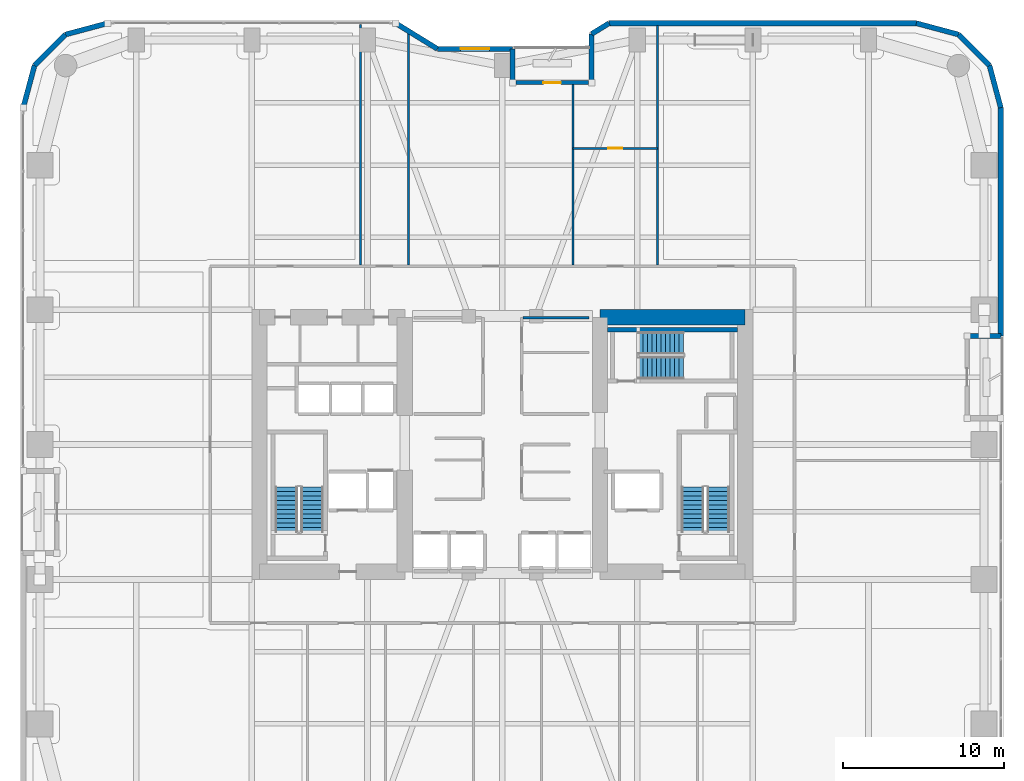
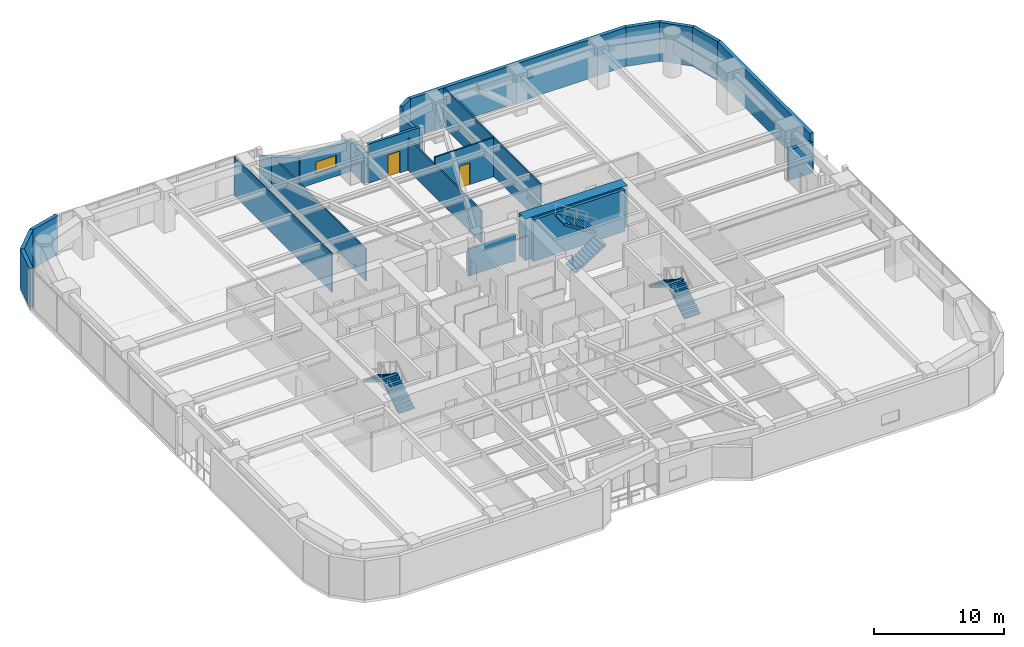
# One storey, part 25 of 29: 23 walls, 6 stair flights, 2 doors, 1 window, 3 openings, 3 elements without a shape of their own.
"""IFC4 building model written with IfcOpenShell, lengths in metres."""

from ifc_helpers import new_model, si_unit, direction, frame, frame_2d, origin, place, context, subcontext, project, spatial, polyline, rectangle, outline, extrude, material, layer, layer_set, type_object, element, fill, aggregate, save


model = new_model("IFC4")

# Units and contexts
model_context = context("Model", 3, precision=1e-05, world=origin(), true_north=direction((0.0, 1.0)))
body_context = subcontext(model_context, "Body", "Model", "MODEL_VIEW")
ifc_project = project(units=[si_unit("LENGTHUNIT", "METRE"), si_unit("AREAUNIT", "SQUARE_METRE"), si_unit("VOLUMEUNIT", "CUBIC_METRE"), si_unit("PLANEANGLEUNIT", "RADIAN"), si_unit("MASSUNIT", "GRAM", prefix="KILO")], contexts=[model_context])

# Site, building, storey
site_placement = place(None, origin())
site = spatial("IfcSite", under=ifc_project, at=site_placement, CompositionType="ELEMENT")
building_placement = place(site_placement, origin())
building = spatial("IfcBuilding", under=site, at=building_placement, Name="Kiyonajd Concourse Tower", CompositionType="ELEMENT")
storey_placement = place(building_placement, frame((0.0, 0.0, 48.89990234375)))
storey = spatial("IfcBuildingStorey", under=building, at=storey_placement, Name="L13", CompositionType="ELEMENT", Elevation=48.89990234375)

# Walls
ifc_material_1 = material(Name="Concrete C80/95", Category="concrete")
ifc_layer_1 = layer(ifc_material_1, 0.949951171875)
ifc_layer_set_1 = layer_set([ifc_layer_1], Name="Concrete C80/95")
wall_type_1 = type_object("IfcWallType", Name="WL-CORE-950", PredefinedType="SHEAR", material=ifc_layer_set_1)
wall_1_placement = place(storey_placement, frame((54.074951171875, 43.925048828125, 0.0), z_axis=(0.0, 0.0, 1.0), x_axis=(1.0, 0.0, 0.0)))
element("IfcWall", 1, at=wall_1_placement, inside=storey, type_object=wall_type_1, Name="L13 East Core North Shear Wall", PredefinedType="SHEAR", context=body_context, shape_type="SweptSolid", body=[
    extrude(rectangle(XDim=9.050048828125, YDim=0.949951171875, at=frame_2d((4.52490234375, 0.0))), origin(), (0.0, 0.0, 1.0), 3.900146484375),
])
ifc_material_2 = material(Name="Precast concrete C50/60", Category="concrete")
ifc_layer_2 = layer(ifc_material_2, 0.320068359375)
ifc_layer_set_2 = layer_set([ifc_layer_2], Name="Precast concrete C50/60")
wall_type_2 = type_object("IfcWallType", Name="WL-EXT-320", PredefinedType="SOLIDWALL", material=ifc_layer_set_2)
wall_2_placement = place(storey_placement, frame((18.159912109375, 56.97900390625, 0.0), z_axis=(0.0, 0.0, 1.0), x_axis=(0.25869736047, 0.965958423373, 0.0)))
element("IfcWall", 2, at=wall_2_placement, inside=storey, type_object=wall_type_2, Name="L13 Exterior Concrete Frame Wall 06", PredefinedType="SOLIDWALL", context=body_context, shape_type="SweptSolid", body=[
    extrude(rectangle(XDim=2.731201171875, YDim=0.320068359375, at=frame_2d((1.36572265625, 0.0))), origin(), (0.0, 0.0, 1.0), 3.64013671875),
])
wall_3_placement = place(storey_placement, frame((18.866455078125, 59.6171875, 0.0), z_axis=(0.0, 0.0, 1.0), x_axis=(0.707106781187, 0.707106781187, 0.0)))
element("IfcWall", 3, at=wall_3_placement, inside=storey, type_object=wall_type_2, Name="L13 Exterior Concrete Frame Wall 07", PredefinedType="SOLIDWALL", context=body_context, shape_type="SweptSolid", body=[
    extrude(rectangle(XDim=2.7099609375, YDim=0.320068359375, at=frame_2d((1.35498046875, 0.0))), origin(), (0.0, 0.0, 1.0), 3.64013671875),
])
wall_4_placement = place(storey_placement, frame((20.78271484375, 61.533447265625, 0.0), z_axis=(0.0, 0.0, 1.0), x_axis=(0.965964405026, 0.25867502435, 0.0)))
element("IfcWall", 4, at=wall_4_placement, inside=storey, type_object=wall_type_2, Name="L13 Exterior Concrete Frame Wall 08", PredefinedType="SOLIDWALL", context=body_context, shape_type="SweptSolid", body=[
    extrude(rectangle(XDim=2.7314453125, YDim=0.320068359375, at=frame_2d((1.36572265625, 0.0))), origin(), (0.0, 0.0, 1.0), 3.64013671875),
])
wall_5_placement = place(storey_placement, frame((41.354736328125, 62.239990234375, 0.0), z_axis=(0.0, 0.0, 1.0), x_axis=(0.851630857047, -0.524142044989, 0.0)))
element("IfcWall", 5, at=wall_5_placement, inside=storey, type_object=wall_type_2, Name="L13 Exterior Concrete Frame Wall 10", PredefinedType="SOLIDWALL", context=body_context, shape_type="SweptSolid", body=[
    extrude(rectangle(XDim=3.052734375, YDim=0.320068359375, at=frame_2d((1.5263671875, 0.0))), origin(), (0.0, 0.0, 1.0), 2.875),
])

# Wall, opening, window
wall_6_placement = place(storey_placement, frame((43.95458984375, 60.639892578125, 0.0), z_axis=(0.0, 0.0, 1.0), x_axis=(1.0, 0.0, 0.0)))
wall_6 = element("IfcWall", 6, at=wall_6_placement, inside=storey, type_object=wall_type_2, Name="L13 Exterior Concrete Frame Wall 11", PredefinedType="SOLIDWALL", context=body_context, shape_type="SweptSolid", body=[
    extrude(rectangle(XDim=4.685302734375, YDim=0.320068359375, at=frame_2d((2.3427734375, 0.0))), origin(), (0.0, 0.0, 1.0), 2.875),
])
opening_1_placement = place(wall_6_placement, frame((1.443115234375, 0.0, 0.85009765625)))
opening_1 = element("IfcOpeningElement", 7, at=opening_1_placement, cuts=wall_6, Name="Opening WN1", PredefinedType="OPENING", context=body_context, shape_type="SweptSolid", body=[
    extrude(rectangle(XDim=1.800048828125, YDim=1.10009765625, at=frame_2d((0.89990234375, 0.550048828125))), frame((0.0, 0.169921875, 0.0), z_axis=(0.0, -1.0, 0.0), x_axis=(1.0, 0.0, 0.0)), (0.0, 0.0, 1.0), 0.340087890625),
])
ifc_material_3 = material(Name="Double Low-E Insulated Glass", Category="glass")
window_type = type_object("IfcWindowType", Name="WN-VIS-1800x1100", PartitioningType="SINGLE_PANEL", PredefinedType="WINDOW", material=ifc_material_3)
window_placement = place(opening_1_placement, origin())
window = element("IfcWindow", 8, at=window_placement, inside=storey, type_object=window_type, Name="L13 Modular Facade Vision Window 11", OverallHeight=1.10009765625, OverallWidth=1.800048828125, PartitioningType="SINGLE_PANEL", PredefinedType="WINDOW", context=body_context, shape_type="SweptSolid", body=[
    extrude(rectangle(XDim=1.800048828125, YDim=1.10009765625, at=frame_2d((0.89990234375, 0.550048828125))), frame((0.0, 0.030029296875, 0.0), z_axis=(0.0, -1.0, 0.0), x_axis=(1.0, 0.0, 0.0)), (0.0, 0.0, 1.0), 0.06005859375),
])
fill(opening_1, window)

# Walls
wall_7_placement = place(storey_placement, frame((48.639892578125, 60.639892578125, 0.0), z_axis=(0.0, 0.0, 1.0), x_axis=(0.0, -1.0, 0.0)))
element("IfcWall", 9, at=wall_7_placement, inside=storey, type_object=wall_type_2, Name="L13 Exterior Concrete Frame Wall 12", PredefinedType="SOLIDWALL", context=body_context, shape_type="SweptSolid", body=[
    extrude(rectangle(XDim=2.099853515625, YDim=0.320068359375, at=frame_2d((1.0498046875, 0.0))), origin(), (0.0, 0.0, 1.0), 2.875),
])
wall_8_placement = place(storey_placement, frame((53.56005859375, 58.5400390625, 0.0), z_axis=(0.0, 0.0, 1.0), x_axis=(0.0, 1.0, 0.0)))
element("IfcWall", 10, at=wall_8_placement, inside=storey, type_object=wall_type_2, Name="L13 Exterior Concrete Frame Wall 14", PredefinedType="SOLIDWALL", context=body_context, shape_type="SweptSolid", body=[
    extrude(rectangle(XDim=3.032470703125, YDim=0.320068359375, at=frame_2d((1.51611328125, 0.0))), origin(), (0.0, 0.0, 1.0), 2.875),
])
wall_9_placement = place(storey_placement, frame((53.56005859375, 61.572509765625, 0.0), z_axis=(0.0, 0.0, 1.0), x_axis=(0.851776724646, 0.523904964045, 0.0)))
element("IfcWall", 11, at=wall_9_placement, inside=storey, type_object=wall_type_2, Name="L13 Exterior Concrete Frame Wall 15", PredefinedType="SOLIDWALL", context=body_context, shape_type="SweptSolid", body=[
    extrude(rectangle(XDim=1.274169921875, YDim=0.320068359375, at=frame_2d((0.63720703125, 0.0))), origin(), (0.0, 0.0, 1.0), 3.64013671875),
])
wall_10_placement = place(storey_placement, frame((54.645263671875, 62.239990234375, 0.0), z_axis=(0.0, 0.0, 1.0), x_axis=(1.0, 0.0, 0.0)))
element("IfcWall", 12, at=wall_10_placement, inside=storey, type_object=wall_type_2, Name="L13 Exterior Concrete Frame Wall 16", PredefinedType="SOLIDWALL", context=body_context, shape_type="SweptSolid", body=[
    extrude(rectangle(XDim=19.133544921875, YDim=0.320068359375, at=frame_2d((9.56689453125, 0.0))), origin(), (0.0, 0.0, 1.0), 3.64013671875),
])
wall_11_placement = place(storey_placement, frame((73.77880859375, 62.239990234375, 0.0), z_axis=(0.0, 0.0, 1.0), x_axis=(0.965964405026, -0.25867502435, 0.0)))
element("IfcWall", 13, at=wall_11_placement, inside=storey, type_object=wall_type_2, Name="L13 Exterior Concrete Frame Wall 17", PredefinedType="SOLIDWALL", context=body_context, shape_type="SweptSolid", body=[
    extrude(rectangle(XDim=2.7314453125, YDim=0.320068359375, at=frame_2d((1.36572265625, 0.0))), origin(), (0.0, 0.0, 1.0), 3.64013671875),
])
wall_12_placement = place(storey_placement, frame((76.417236328125, 61.533447265625, 0.0), z_axis=(0.0, 0.0, 1.0), x_axis=(0.707106781187, -0.707106781187, 0.0)))
element("IfcWall", 14, at=wall_12_placement, inside=storey, type_object=wall_type_2, Name="L13 Exterior Concrete Frame Wall 18", PredefinedType="SOLIDWALL", context=body_context, shape_type="SweptSolid", body=[
    extrude(rectangle(XDim=2.7099609375, YDim=0.320068359375, at=frame_2d((1.35498046875, 0.0))), origin(), (0.0, 0.0, 1.0), 3.64013671875),
])
wall_13_placement = place(storey_placement, frame((78.33349609375, 59.6171875, 0.0), z_axis=(0.0, 0.0, 1.0), x_axis=(0.25869736047, -0.965958423373, 0.0)))
element("IfcWall", 15, at=wall_13_placement, inside=storey, type_object=wall_type_2, Name="L13 Exterior Concrete Frame Wall 19", PredefinedType="SOLIDWALL", context=body_context, shape_type="SweptSolid", body=[
    extrude(rectangle(XDim=2.731201171875, YDim=0.320068359375, at=frame_2d((1.36572265625, 0.0))), origin(), (0.0, 0.0, 1.0), 3.64013671875),
])
wall_14_placement = place(storey_placement, frame((79.0400390625, 56.97900390625, 0.0), z_axis=(0.0, 0.0, 1.0), x_axis=(0.0, -1.0, 0.0)))
element("IfcWall", 16, at=wall_14_placement, inside=storey, type_object=wall_type_2, Name="L13 Exterior Concrete Frame Wall 20", PredefinedType="SOLIDWALL", context=body_context, shape_type="SweptSolid", body=[
    extrude(rectangle(XDim=14.218994140625, YDim=0.320068359375, at=frame_2d((7.109375, 0.0))), origin(), (0.0, 0.0, 1.0), 3.64013671875),
])
wall_15_placement = place(storey_placement, frame((79.0400390625, 42.760009765625, 0.0), z_axis=(0.0, 0.0, 1.0), x_axis=(-1.0, 0.0, 0.0)))
element("IfcWall", 17, at=wall_15_placement, inside=storey, type_object=wall_type_2, Name="L13 Exterior Concrete Frame Wall 21", PredefinedType="SOLIDWALL", context=body_context, shape_type="SweptSolid", body=[
    extrude(rectangle(XDim=2.10009765625, YDim=0.320068359375, at=frame_2d((1.050048828125, 0.0))), origin(), (0.0, 0.0, 1.0), 2.875),
])

# Wall, opening, door
ifc_layer_3 = layer(ifc_material_2, 0.239990234375)
ifc_layer_set_3 = layer_set([ifc_layer_3], Name="Precast concrete C50/60")
wall_type_3 = type_object("IfcWallType", Name="WL-LOG-240", PredefinedType="SOLIDWALL", material=ifc_layer_set_3)
wall_16_placement = place(storey_placement, frame((48.8349609375, 58.5400390625, 0.0), z_axis=(0.0, 0.0, 1.0), x_axis=(1.0, 0.0, 0.0)))
wall_16 = element("IfcWall", 18, at=wall_16_placement, inside=storey, type_object=wall_type_3, Name="L13 Recessed Loggia Thermal Wall LOG-N", PredefinedType="SOLIDWALL", context=body_context, shape_type="SweptSolid", body=[
    extrude(rectangle(XDim=4.530029296875, YDim=0.239990234375, at=frame_2d((2.26513671875, 0.0))), origin(), (0.0, 0.0, 1.0), 3.64013671875),
])
opening_2_placement = place(wall_16_placement, frame((1.715087890625, 0.0, 0.0)))
opening_2 = element("IfcOpeningElement", 19, at=opening_2_placement, cuts=wall_16, Name="Opening DL2", PredefinedType="OPENING", context=body_context, shape_type="SweptSolid", body=[
    extrude(rectangle(XDim=1.10009765625, YDim=2.0400390625, at=frame_2d((0.550048828125, 1.02001953125))), frame((0.0, 0.1298828125, 0.0), z_axis=(0.0, -1.0, 0.0), x_axis=(1.0, 0.0, 0.0)), (0.0, 0.0, 1.0), 0.260009765625),
])
ifc_material_4 = material(Name="Thermally Broken Anodised Aluminium", Category="aluminium")
door_type_1 = type_object("IfcDoorType", Name="DR-LOG-1100", OperationType="NOTDEFINED", PredefinedType="DOOR", material=ifc_material_4)
door_1_placement = place(opening_2_placement, origin())
door_1 = element("IfcDoor", 20, at=door_1_placement, inside=storey, type_object=door_type_1, Name="L13 Engawa Loggia Access Door LOG-N", OperationType="SINGLE_SWING_RIGHT", OverallHeight=2.0400390625, OverallWidth=1.10009765625, PredefinedType="DOOR", context=body_context, shape_type="SweptSolid", body=[
    extrude(rectangle(XDim=1.10009765625, YDim=2.0400390625, at=frame_2d((0.550048828125, 1.02001953125))), frame((0.0, 0.02490234375, 0.0), z_axis=(0.0, -1.0, 0.0), x_axis=(1.0, 0.0, 0.0)), (0.0, 0.0, 1.0), 0.050048828125),
])
fill(opening_2, door_1)

# Walls
ifc_material_5 = material(Name="Gypsum Board on Cold-Formed Steel Stud", Category="steel")
ifc_layer_4 = layer(ifc_material_5, 0.125)
ifc_layer_set_4 = layer_set([ifc_layer_4], Name="Gypsum Board on Cold-Formed Steel Stud")
wall_type_4 = type_object("IfcWallType", Name="WL-PART-125", PredefinedType="PARTITIONING", material=ifc_layer_set_4)
wall_17_placement = place(storey_placement, frame((39.159912109375, 47.197021484375, 0.0), z_axis=(0.0, 0.0, 1.0), x_axis=(0.0, 1.0, 0.0)))
element("IfcWall", 21, at=wall_17_placement, inside=storey, type_object=wall_type_4, Name="L13 Interior Partition Wall", PredefinedType="PARTITIONING", context=body_context, shape_type="SweptSolid", body=[
    extrude(rectangle(XDim=14.9580078125, YDim=0.125, at=frame_2d((7.47900390625, 0.0))), origin(), (0.0, 0.0, 1.0), 3.64013671875),
])
wall_18_placement = place(storey_placement, frame((42.159912109375, 47.197021484375, 0.0), z_axis=(0.0, 0.0, 1.0), x_axis=(0.0, 1.0, 0.0)))
element("IfcWall", 22, at=wall_18_placement, inside=storey, type_object=wall_type_4, Name="L13 Interior Partition Wall", PredefinedType="PARTITIONING", context=body_context, shape_type="SweptSolid", body=[
    extrude(rectangle(XDim=14.39306640625, YDim=0.125, at=frame_2d((7.196533203125, 0.0))), origin(), (0.0, 0.0, 1.0), 3.003173828125),
])

# Wall, opening, door
wall_19_placement = place(storey_placement, frame((52.39990234375, 54.449951171875, 0.0), z_axis=(0.0, 0.0, 1.0), x_axis=(1.0, 0.0, 0.0)))
wall_19 = element("IfcWall", 23, at=wall_19_placement, inside=storey, type_object=wall_type_4, Name="L13 Interior Partition Wall", PredefinedType="PARTITIONING", context=body_context, shape_type="SweptSolid", body=[
    extrude(rectangle(XDim=5.260009765625, YDim=0.125, at=frame_2d((2.6298828125, 0.0))), origin(), (0.0, 0.0, 1.0), 3.64013671875),
])
opening_3_placement = place(wall_19_placement, frame((2.179931640625, 0.0, 0.0)))
opening_3 = element("IfcOpeningElement", 24, at=opening_3_placement, cuts=wall_19, Name="Opening DI2", PredefinedType="OPENING", context=body_context, shape_type="SweptSolid", body=[
    extrude(rectangle(XDim=0.89990234375, YDim=2.02001953125, at=frame_2d((0.449951171875, 1.010009765625))), frame((0.0, 0.072509765625, 0.0), z_axis=(0.0, -1.0, 0.0), x_axis=(1.0, 0.0, 0.0)), (0.0, 0.0, 1.0), 0.14501953125),
])
ifc_material_6 = material(Name="Natural Oak Acoustic Timber Veneer", Category="wood")
door_type_2 = type_object("IfcDoorType", Name="DR-INT-900", OperationType="NOTDEFINED", PredefinedType="DOOR", material=ifc_material_6)
door_2_placement = place(opening_3_placement, origin())
door_2 = element("IfcDoor", 25, at=door_2_placement, inside=storey, type_object=door_type_2, Name="L13 Interior Door", OperationType="SINGLE_SWING_RIGHT", OverallHeight=2.02001953125, OverallWidth=0.89990234375, PredefinedType="DOOR", context=body_context, shape_type="SweptSolid", body=[
    extrude(rectangle(XDim=0.89990234375, YDim=2.02001953125, at=frame_2d((0.449951171875, 1.010009765625))), frame((0.0, 0.02490234375, 0.0), z_axis=(0.0, -1.0, 0.0), x_axis=(1.0, 0.0, 0.0)), (0.0, 0.0, 1.0), 0.050048828125),
])
fill(opening_3, door_2)

# Walls
wall_20_placement = place(storey_placement, frame((52.39990234375, 47.197021484375, 0.0), z_axis=(0.0, 0.0, 1.0), x_axis=(0.0, 1.0, 0.0)))
element("IfcWall", 26, at=wall_20_placement, inside=storey, type_object=wall_type_4, Name="L13 Interior Partition Wall", PredefinedType="PARTITIONING", context=body_context, shape_type="SweptSolid", body=[
    extrude(rectangle(XDim=11.22802734375, YDim=0.125, at=frame_2d((5.614013671875, 0.0))), origin(), (0.0, 0.0, 1.0), 3.003173828125),
])
wall_21_placement = place(storey_placement, frame((57.659912109375, 47.197021484375, 0.0), z_axis=(0.0, 0.0, 1.0), x_axis=(0.0, 1.0, 0.0)))
element("IfcWall", 27, at=wall_21_placement, inside=storey, type_object=wall_type_4, Name="L13 Interior Partition Wall", PredefinedType="PARTITIONING", context=body_context, shape_type="SweptSolid", body=[
    extrude(rectangle(XDim=14.887939453125, YDim=0.125, at=frame_2d((7.44384765625, 0.0))), origin(), (0.0, 0.0, 1.0), 3.64013671875),
])
ifc_layer_5 = layer(ifc_material_5, 0.169921875)
ifc_layer_set_5 = layer_set([ifc_layer_5], Name="Gypsum Board on Cold-Formed Steel Stud")
wall_type_5 = type_object("IfcWallType", Name="WL-SMK-170", PredefinedType="PARTITIONING", material=ifc_layer_set_5)
wall_22_placement = place(storey_placement, frame((49.287109375, 43.89990234375, 0.0), z_axis=(0.0, 0.0, 1.0), x_axis=(1.0, 0.0, 0.0)))
element("IfcWall", 28, at=wall_22_placement, inside=storey, type_object=wall_type_5, Name="L13 Interior Partition Wall", PredefinedType="PARTITIONING", context=body_context, shape_type="SweptSolid", body=[
    extrude(rectangle(XDim=4.11279296875, YDim=0.169921875, at=frame_2d((2.056396484375, 0.0))), origin(), (0.0, 0.0, 1.0), 2.525146484375),
])
ifc_material_7 = material(Name="Concrete C50/60", Category="concrete")
ifc_layer_6 = layer(ifc_material_7, 0.260009765625)
ifc_layer_set_6 = layer_set([ifc_layer_6], Name="Concrete C50/60")
wall_type_6 = type_object("IfcWallType", Name="WL-STAIR-260", PredefinedType="SHEAR", material=ifc_layer_set_6)
wall_23_placement = place(storey_placement, frame((54.550048828125, 43.14990234375, 0.0), z_axis=(0.0, 0.0, 1.0), x_axis=(1.0, 0.0, 0.0)))
element("IfcWall", 29, at=wall_23_placement, inside=storey, type_object=wall_type_6, Name="L13 Stair ST3 Structural North Wall", PredefinedType="SHEAR", context=body_context, shape_type="SweptSolid", body=[
    extrude(rectangle(XDim=8.099853515625, YDim=0.260009765625, at=frame_2d((4.0498046875, 0.0))), origin(), (0.0, 0.0, 1.0), 3.900146484375),
])

# Stair, stair flights
ifc_material_8 = material(Name="Concrete C40/50", Category="concrete")
stair_type = type_object("IfcStairType", Name="ST-DLG-22R", PredefinedType="HALF_TURN_STAIR", material=ifc_material_8)
stair_1_placement = place(storey_placement, origin())
stair_1 = element("IfcStair", 30, at=stair_1_placement, inside=storey, type_object=stair_type, Name="L13 Protected Exit Stair ST1", PredefinedType="HALF_TURN_STAIR")
stair_flight_type = type_object("IfcStairFlightType", Name="SF-STR-22R", PredefinedType="STRAIGHT", material=ifc_material_8)
stair_flight_1_placement = place(storey_placement, frame((36.14990234375, 30.550048828125, 0.0), z_axis=(0.0, 0.0, 1.0), x_axis=(0.0, 1.0, 0.0)))
stair_flight_1 = element("IfcStairFlight", 31, at=stair_flight_1_placement, type_object=stair_flight_type, Name="ST1 flight 1", NumberOfRisers=11, NumberOfTreads=10, PredefinedType="STRAIGHT", RiserHeight=0.177272727, TreadLength=0.28, context=body_context, shape_type="SweptSolid", body=[
    extrude(outline(polyline([(0.0, 0.0), (0.0, 0.17724609375), (0.280029296875, 0.17724609375), (0.280029296875, 0.3544921875), (0.56005859375, 0.3544921875), (0.56005859375, 0.53173828125), (0.840087890625, 0.53173828125), (0.840087890625, 0.708984375), (1.1201171875, 0.708984375), (1.1201171875, 0.886474609375), (1.39990234375, 0.886474609375), (1.39990234375, 1.063720703125), (1.679931640625, 1.063720703125), (1.679931640625, 1.240966796875), (1.9599609375, 1.240966796875), (1.9599609375, 1.418212890625), (2.239990234375, 1.418212890625), (2.239990234375, 1.595458984375), (2.52001953125, 1.595458984375), (2.52001953125, 1.772705078125), (2.800048828125, 1.772705078125), (2.800048828125, 1.949951171875), (2.800048828125, 1.59521484375), (0.2802734375, 0.0), (0.0, 0.0)])), frame((0.0, 0.699951171875, 0.0), z_axis=(0.0, -1.0, 0.0), x_axis=(1.0, 0.0, 0.0)), (0.0, 0.0, 1.0), 1.39990234375),
])
stair_flight_2_placement = place(storey_placement, frame((34.550048828125, 33.35009765625, 1.9501953125), z_axis=(0.0, 0.0, 1.0), x_axis=(0.0, -1.0, 0.0)))
stair_flight_2 = element("IfcStairFlight", 32, at=stair_flight_2_placement, type_object=stair_flight_type, Name="ST1 flight 2", NumberOfRisers=11, NumberOfTreads=10, PredefinedType="STRAIGHT", RiserHeight=0.177272727, TreadLength=0.28, context=body_context, shape_type="SweptSolid", body=[
    extrude(outline(polyline([(0.0, 0.0), (0.0, 0.17724609375), (0.280029296875, 0.17724609375), (0.280029296875, 0.3544921875), (0.56005859375, 0.3544921875), (0.56005859375, 0.53173828125), (0.840087890625, 0.53173828125), (0.840087890625, 0.708984375), (1.1201171875, 0.708984375), (1.1201171875, 0.886474609375), (1.39990234375, 0.886474609375), (1.39990234375, 1.063720703125), (1.679931640625, 1.063720703125), (1.679931640625, 1.240966796875), (1.9599609375, 1.240966796875), (1.9599609375, 1.418212890625), (2.239990234375, 1.418212890625), (2.239990234375, 1.595458984375), (2.52001953125, 1.595458984375), (2.52001953125, 1.772705078125), (2.800048828125, 1.772705078125), (2.800048828125, 1.949951171875), (2.800048828125, 1.59521484375), (0.2802734375, 0.0), (0.0, 0.0)])), frame((0.0, 0.699951171875, 0.0), z_axis=(0.0, -1.0, 0.0), x_axis=(1.0, 0.0, 0.0)), (0.0, 0.0, 1.0), 1.39990234375),
])
aggregate(stair_1, [stair_flight_1, stair_flight_2])

stair_2_placement = place(storey_placement, origin())
stair_2 = element("IfcStair", 33, at=stair_2_placement, inside=storey, type_object=stair_type, Name="L13 Protected Exit Stair ST2", PredefinedType="HALF_TURN_STAIR")
stair_flight_3_placement = place(storey_placement, frame((61.449951171875, 30.550048828125, 0.0), z_axis=(0.0, 0.0, 1.0), x_axis=(0.0, 1.0, 0.0)))
stair_flight_3 = element("IfcStairFlight", 34, at=stair_flight_3_placement, type_object=stair_flight_type, Name="ST2 flight 1", NumberOfRisers=11, NumberOfTreads=10, PredefinedType="STRAIGHT", RiserHeight=0.177272727, TreadLength=0.28, context=body_context, shape_type="SweptSolid", body=[
    extrude(outline(polyline([(0.0, 0.0), (0.0, 0.17724609375), (0.280029296875, 0.17724609375), (0.280029296875, 0.3544921875), (0.56005859375, 0.3544921875), (0.56005859375, 0.53173828125), (0.840087890625, 0.53173828125), (0.840087890625, 0.708984375), (1.1201171875, 0.708984375), (1.1201171875, 0.886474609375), (1.39990234375, 0.886474609375), (1.39990234375, 1.063720703125), (1.679931640625, 1.063720703125), (1.679931640625, 1.240966796875), (1.9599609375, 1.240966796875), (1.9599609375, 1.418212890625), (2.239990234375, 1.418212890625), (2.239990234375, 1.595458984375), (2.52001953125, 1.595458984375), (2.52001953125, 1.772705078125), (2.800048828125, 1.772705078125), (2.800048828125, 1.949951171875), (2.800048828125, 1.59521484375), (0.2802734375, 0.0), (0.0, 0.0)])), frame((0.0, 0.699951171875, 0.0), z_axis=(0.0, -1.0, 0.0), x_axis=(1.0, 0.0, 0.0)), (0.0, 0.0, 1.0), 1.39990234375),
])
stair_flight_4_placement = place(storey_placement, frame((59.85009765625, 33.35009765625, 1.9501953125), z_axis=(0.0, 0.0, 1.0), x_axis=(0.0, -1.0, 0.0)))
stair_flight_4 = element("IfcStairFlight", 35, at=stair_flight_4_placement, type_object=stair_flight_type, Name="ST2 flight 2", NumberOfRisers=11, NumberOfTreads=10, PredefinedType="STRAIGHT", RiserHeight=0.177272727, TreadLength=0.28, context=body_context, shape_type="SweptSolid", body=[
    extrude(outline(polyline([(0.0, 0.0), (0.0, 0.17724609375), (0.280029296875, 0.17724609375), (0.280029296875, 0.3544921875), (0.56005859375, 0.3544921875), (0.56005859375, 0.53173828125), (0.840087890625, 0.53173828125), (0.840087890625, 0.708984375), (1.1201171875, 0.708984375), (1.1201171875, 0.886474609375), (1.39990234375, 0.886474609375), (1.39990234375, 1.063720703125), (1.679931640625, 1.063720703125), (1.679931640625, 1.240966796875), (1.9599609375, 1.240966796875), (1.9599609375, 1.418212890625), (2.239990234375, 1.418212890625), (2.239990234375, 1.595458984375), (2.52001953125, 1.595458984375), (2.52001953125, 1.772705078125), (2.800048828125, 1.772705078125), (2.800048828125, 1.949951171875), (2.800048828125, 1.59521484375), (0.2802734375, 0.0), (0.0, 0.0)])), frame((0.0, 0.699951171875, 0.0), z_axis=(0.0, -1.0, 0.0), x_axis=(1.0, 0.0, 0.0)), (0.0, 0.0, 1.0), 1.39990234375),
])
aggregate(stair_2, [stair_flight_3, stair_flight_4])

stair_3_placement = place(storey_placement, origin())
stair_3 = element("IfcStair", 36, at=stair_3_placement, inside=storey, type_object=stair_type, Name="L13 Protected Exit Stair ST3", PredefinedType="HALF_TURN_STAIR")
stair_flight_5_placement = place(storey_placement, frame((56.47998046875, 40.780029296875, 0.0), z_axis=(0.0, 0.0, 1.0), x_axis=(1.0, 0.0, 0.0)))
stair_flight_5 = element("IfcStairFlight", 37, at=stair_flight_5_placement, type_object=stair_flight_type, Name="ST3 flight 1", NumberOfRisers=11, NumberOfTreads=10, PredefinedType="STRAIGHT", RiserHeight=0.177272727, TreadLength=0.28, context=body_context, shape_type="SweptSolid", body=[
    extrude(outline(polyline([(0.0, 0.0), (0.0, 0.17724609375), (0.280029296875, 0.17724609375), (0.280029296875, 0.3544921875), (0.56005859375, 0.3544921875), (0.56005859375, 0.53173828125), (0.840087890625, 0.53173828125), (0.840087890625, 0.708984375), (1.1201171875, 0.708984375), (1.1201171875, 0.886474609375), (1.39990234375, 0.886474609375), (1.39990234375, 1.063720703125), (1.679931640625, 1.063720703125), (1.679931640625, 1.240966796875), (1.9599609375, 1.240966796875), (1.9599609375, 1.418212890625), (2.239990234375, 1.418212890625), (2.239990234375, 1.595458984375), (2.52001953125, 1.595458984375), (2.52001953125, 1.772705078125), (2.800048828125, 1.772705078125), (2.800048828125, 1.949951171875), (2.800048828125, 1.59521484375), (0.2802734375, 0.0), (0.0, 0.0)])), frame((0.0, 0.699951171875, 0.0), z_axis=(0.0, -1.0, 0.0), x_axis=(1.0, 0.0, 0.0)), (0.0, 0.0, 1.0), 1.39990234375),
])
stair_flight_6_placement = place(storey_placement, frame((59.280029296875, 42.320068359375, 1.9501953125), z_axis=(0.0, 0.0, 1.0), x_axis=(-1.0, 0.0, 0.0)))
stair_flight_6 = element("IfcStairFlight", 38, at=stair_flight_6_placement, type_object=stair_flight_type, Name="ST3 flight 2", NumberOfRisers=11, NumberOfTreads=10, PredefinedType="STRAIGHT", RiserHeight=0.177272727, TreadLength=0.28, context=body_context, shape_type="SweptSolid", body=[
    extrude(outline(polyline([(0.0, 0.0), (0.0, 0.17724609375), (0.280029296875, 0.17724609375), (0.280029296875, 0.3544921875), (0.56005859375, 0.3544921875), (0.56005859375, 0.53173828125), (0.840087890625, 0.53173828125), (0.840087890625, 0.708984375), (1.1201171875, 0.708984375), (1.1201171875, 0.886474609375), (1.39990234375, 0.886474609375), (1.39990234375, 1.063720703125), (1.679931640625, 1.063720703125), (1.679931640625, 1.240966796875), (1.9599609375, 1.240966796875), (1.9599609375, 1.418212890625), (2.239990234375, 1.418212890625), (2.239990234375, 1.595458984375), (2.52001953125, 1.595458984375), (2.52001953125, 1.772705078125), (2.800048828125, 1.772705078125), (2.800048828125, 1.949951171875), (2.800048828125, 1.59521484375), (0.2802734375, 0.0), (0.0, 0.0)])), frame((0.0, 0.699951171875, 0.0), z_axis=(0.0, -1.0, 0.0), x_axis=(1.0, 0.0, 0.0)), (0.0, 0.0, 1.0), 1.39990234375),
])
aggregate(stair_3, [stair_flight_5, stair_flight_6])

save(model, "model.ifc")
